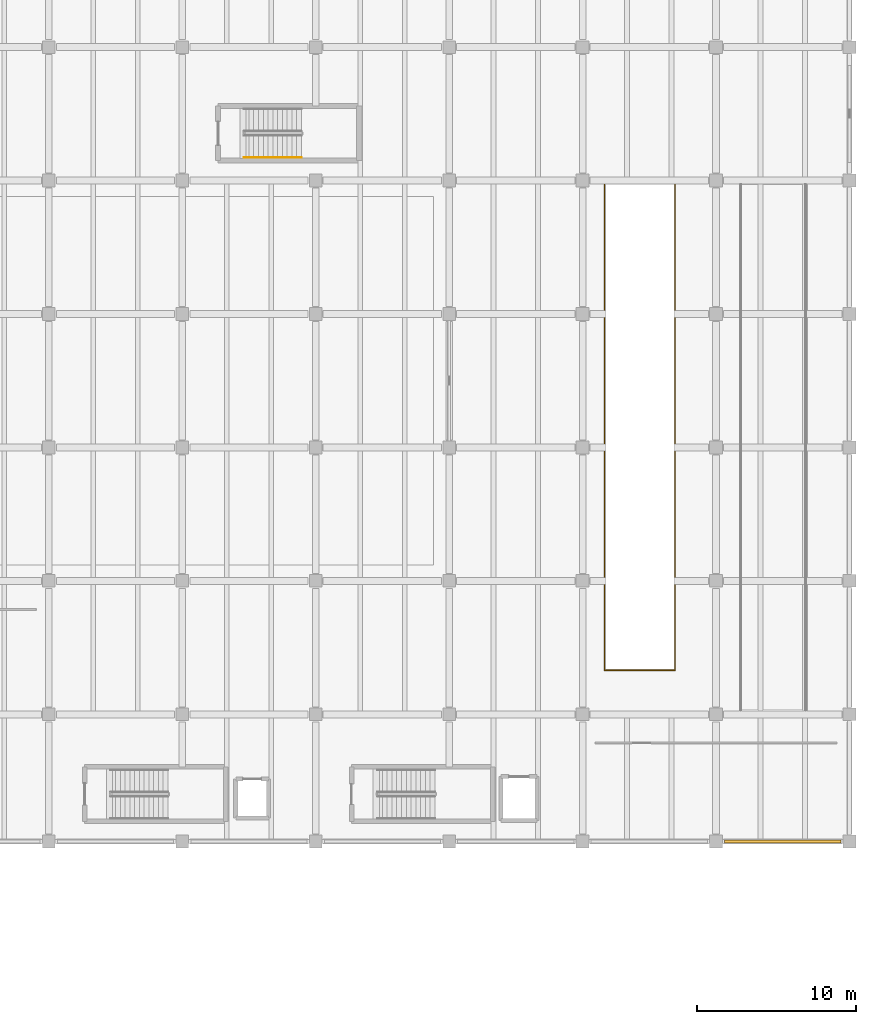
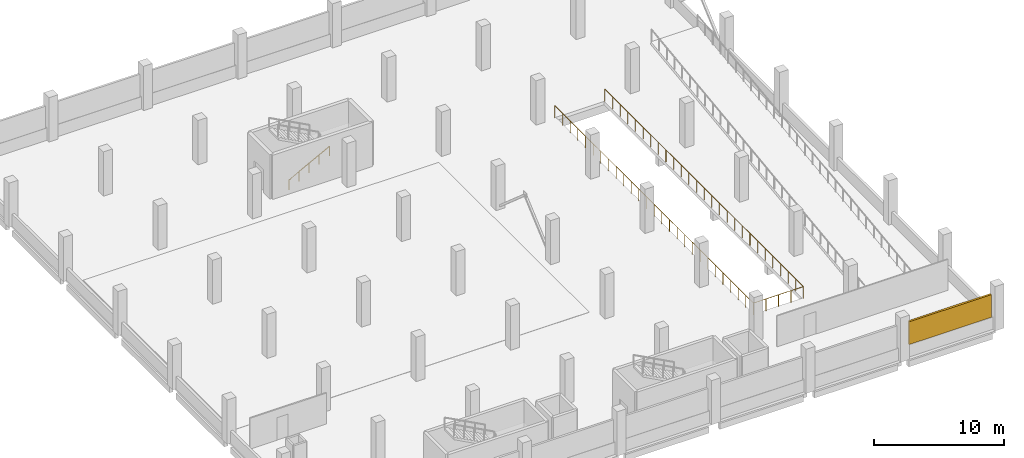
# One storey, part 175 of 177: 2 railings, 1 shading device.
"""IFC4 building model written with IfcOpenShell, lengths in metres."""

import ifcopenshell
import ifcopenshell.guid

model = None  # the IFC model being written
_history = None  # IfcOwnerHistory: only IFC2X3 demands one
_inside = {}  # id of a spatial element -> (the spatial element, [elements in it])
_under = {}  # id of a project, library or spatial element -> (it, [spatial elements below it])
_declared = {}  # id of a project -> (the project, [libraries it declares])
_typed = {}  # id of a type object -> (the type object, [elements of that type])
_made_of = {}  # id of a material, layer set ... -> (it, [elements and type objects made of it])


def new_model(schema):
    """Start an empty IFC model of exactly this schema.

    Asked for "IFC4X3", IfcOpenShell would pick the latest addendum, in which some entities
    have other attributes; the version numbers below select the first issue.
    IFC2X3 requires an IfcOwnerHistory on every rooted entity: one is made here for all.
    """
    global model, _history
    if schema == "IFC4X3":
        model = ifcopenshell.file(schema_version=(4, 3, 0, 0))
    else:
        model = ifcopenshell.file(schema=schema)
    _inside.clear()
    _under.clear()
    _declared.clear()
    _typed.clear()
    _made_of.clear()
    _history = None
    if model.schema == "IFC2X3":
        org = make("IfcOrganization", Name="unknown")
        user = make(
            "IfcPersonAndOrganization",
            ThePerson=make("IfcPerson", FamilyName="unknown"),
            TheOrganization=org,
        )
        app = make(
            "IfcApplication",
            ApplicationDeveloper=org,
            Version="unknown",
            ApplicationFullName="unknown",
            ApplicationIdentifier="unknown",
        )
        _history = make(
            "IfcOwnerHistory",
            OwningUser=user,
            OwningApplication=app,
            ChangeAction="ADDED",
            CreationDate=0,
        )
    return model


def make(cls, **values):
    """One entity of the class cls with the attributes given. An attribute that is None is left unset."""
    return model.create_entity(
        cls, **{name: value for name, value in values.items() if value is not None}
    )


def rooted(cls, **values):
    """An entity with a GlobalId (a new one), such as an element, a storey or a relation."""
    return make(cls, GlobalId=ifcopenshell.guid.new(), OwnerHistory=_history, **values)


def si_unit(unit_type, name, prefix=None):
    """IfcSIUnit, for example si_unit("LENGTHUNIT", "METRE", prefix="MILLI")."""
    return make("IfcSIUnit", UnitType=unit_type, Prefix=prefix, Name=name)


def assignment(units):
    """IfcUnitAssignment: the units of a project."""
    return None if units is None else make("IfcUnitAssignment", Units=units)


def point(xyz):
    """IfcCartesianPoint."""
    return None if xyz is None else make("IfcCartesianPoint", Coordinates=xyz)


def direction(xyz):
    """IfcDirection."""
    return None if xyz is None else make("IfcDirection", DirectionRatios=xyz)


def frame(location, z_axis=None, x_axis=None):
    """IfcAxis2Placement3D, a coordinate frame: its origin and axes. An axis left out is left unset."""
    return make(
        "IfcAxis2Placement3D",
        Location=point(location),
        Axis=direction(z_axis),
        RefDirection=direction(x_axis),
    )


def frame_2d(location, x_axis=None):
    """IfcAxis2Placement2D, a coordinate frame in the plane: its origin and x axis."""
    return make(
        "IfcAxis2Placement2D", Location=point(location), RefDirection=direction(x_axis)
    )


def origin():
    """The frame at (0, 0, 0) with its axes left unset."""
    return frame((0.0, 0.0, 0.0))


def origin_2d():
    """The frame at (0, 0) in the plane with its x axis left unset."""
    return frame_2d((0.0, 0.0))


def place(relative_to, where):
    """IfcLocalPlacement: puts the frame where relative to a parent placement (None: the world)."""
    return make(
        "IfcLocalPlacement", PlacementRelTo=relative_to, RelativePlacement=where
    )


def context(
    kind, dimensions, precision=None, world=None, true_north=None, identifier=None
):
    """IfcGeometricRepresentationContext, for example the 3D "Model" context."""
    return make(
        "IfcGeometricRepresentationContext",
        ContextIdentifier=identifier,
        ContextType=kind,
        CoordinateSpaceDimension=dimensions,
        Precision=precision,
        WorldCoordinateSystem=world,
        TrueNorth=true_north,
    )


def subcontext(parent, identifier, kind, view, scale=None):
    """IfcGeometricRepresentationSubContext, for example "Body" below "Model"."""
    return make(
        "IfcGeometricRepresentationSubContext",
        ContextIdentifier=identifier,
        ContextType=kind,
        ParentContext=parent,
        TargetScale=scale,
        TargetView=view,
    )


def project(units=None, contexts=None):
    """IfcProject with its units and contexts."""
    return rooted(
        "IfcProject",
        Name="project",
        RepresentationContexts=contexts,
        UnitsInContext=assignment(units),
    )


def spatial(cls, under=None, at=None, **own):
    """A site, building, storey or space (cls), placed at a placement, below another one or the project."""
    s = rooted(cls, ObjectPlacement=at, **own)
    if under is not None:
        _under.setdefault(under.id(), (under, []))[1].append(s)
    return s


def profile(cls, at=None, kind="AREA", **sizes):
    """A parametric profile (cls). Its sizes go by their IFC names, for example OverallWidth=200.0."""
    return make(cls, ProfileType=kind, Position=at, **sizes)


def rectangle(**sizes):
    """IfcRectangleProfileDef."""
    return profile("IfcRectangleProfileDef", **sizes)


def circle(**sizes):
    """IfcCircleProfileDef."""
    return profile("IfcCircleProfileDef", **sizes)


def extrude(swept, where, along, depth):
    """IfcExtrudedAreaSolid: the profile swept, set in the frame where, extruded along a direction by depth."""
    return make(
        "IfcExtrudedAreaSolid",
        SweptArea=swept,
        Position=where,
        ExtrudedDirection=direction(along),
        Depth=depth,
    )


def shape(context_of_items, identifier, shape_type, items):
    """IfcShapeRepresentation: the items that make up one representation, for example the "Body"."""
    return make(
        "IfcShapeRepresentation",
        ContextOfItems=context_of_items,
        RepresentationIdentifier=identifier,
        RepresentationType=shape_type,
        Items=items,
    )


def material(Name=None, Category=None):
    """IfcMaterial."""
    return make("IfcMaterial", Name=Name, Category=Category)


def made_of(thing, what):
    """Note that an element or type object is made of a material, layer set ...; save() writes the relation."""
    if what is not None:
        _made_of.setdefault(what.id(), (what, []))[1].append(thing)
    return thing


def type_object(cls, material=None, **own):
    """A type object (cls), such as IfcWallType, which elements share."""
    return made_of(rooted(cls, **own), material)


def element(
    cls,
    number,
    at=None,
    inside=None,
    cuts=None,
    type_object=None,
    material=None,
    context=None,
    identifier="Body",
    shape_type=None,
    held_by="IfcProductDefinitionShape",
    body=None,
    shapes=None,
    **own,
):
    """One element of the class cls, such as IfcWall. Its Tag is "e" and its number.

    at: its placement. inside: the storey or other place that contains it. cuts: it is an
    opening in that element (IfcRelVoidsElement). A single representation is given by context,
    identifier, shape_type and body (its items); several are given by shapes. held_by: the class
    of the entity that holds the representations. save() writes the other relations.
    """
    e = rooted(cls, Tag="e%d" % number, ObjectPlacement=at, **own)
    if body is not None:
        shapes = [shape(context, identifier, shape_type, body)]
    if shapes is not None:
        e.Representation = make(held_by, Representations=shapes)
    if inside is not None:
        _inside.setdefault(inside.id(), (inside, []))[1].append(e)
    if cuts is not None:
        rooted(
            "IfcRelVoidsElement", RelatingBuildingElement=cuts, RelatedOpeningElement=e
        )
    if type_object is not None:
        _typed.setdefault(type_object.id(), (type_object, []))[1].append(e)
    return made_of(e, material)


def aggregate(whole, parts):
    """IfcRelAggregates: a whole, such as a stair, and the parts it consists of."""
    return rooted("IfcRelAggregates", RelatingObject=whole, RelatedObjects=parts)


def save(model, path):
    """Write the relations noted so far, then the file.

    IfcRelAggregates (storeys below a building ...), IfcRelContainedInSpatialStructure (elements
    in a storey), IfcRelDefinesByType, IfcRelAssociatesMaterial and IfcRelDeclares: one each for
    every whole, place, type object, material and project.
    """
    for whole, parts in _under.values():
        aggregate(whole, parts)
    for where, things in _inside.values():
        rooted(
            "IfcRelContainedInSpatialStructure",
            RelatedElements=things,
            RelatingStructure=where,
        )
    for kind, things in _typed.values():
        rooted("IfcRelDefinesByType", RelatedObjects=things, RelatingType=kind)
    for what, things in _made_of.values():
        rooted("IfcRelAssociatesMaterial", RelatedObjects=things, RelatingMaterial=what)
    for by, libraries in _declared.values():
        rooted("IfcRelDeclares", RelatingContext=by, RelatedDefinitions=libraries)
    model.write(path)


model = new_model("IFC4")

# Units and contexts
model_context = context("Model", 3, precision=1e-05, world=origin(), true_north=direction((0.0, 1.0)))
body_context = subcontext(model_context, "Body", "Model", "MODEL_VIEW")
ifc_project = project(units=[si_unit("LENGTHUNIT", "METRE"), si_unit("AREAUNIT", "SQUARE_METRE"), si_unit("VOLUMEUNIT", "CUBIC_METRE"), si_unit("PLANEANGLEUNIT", "RADIAN"), si_unit("MASSUNIT", "GRAM", prefix="KILO"), si_unit("THERMODYNAMICTEMPERATUREUNIT", "KELVIN"), si_unit("POWERUNIT", "WATT")], contexts=[model_context])

# Site, building, storey
site_placement = place(None, origin())
site = spatial("IfcSite", under=ifc_project, at=site_placement, CompositionType="ELEMENT")
building_placement = place(site_placement, origin())
building = spatial("IfcBuilding", under=site, at=building_placement, Name="Mavoryth Pier Ferry Terminal", CompositionType="ELEMENT")
storey_placement = place(building_placement, frame((0.0, 0.0, 5.43994140625)))
storey = spatial("IfcBuildingStorey", under=building, at=storey_placement, Name="L01", CompositionType="ELEMENT", Elevation=5.43994140625)

# Railings
ifc_material_1 = material(Name="Galvanised Steel Vehicle-Deck Edge Guardrail", Category="steel")
railing_type_1 = type_object("IfcRailingType", Name="Guard-Deck-Heavy1140", PredefinedType="GUARDRAIL", material=ifc_material_1)
railing_1_placement = place(storey_placement, frame((152.580078125, 55.35009765625, 0.0)))
element("IfcRailing", 1, at=railing_1_placement, inside=storey, type_object=railing_type_1, Name="Guardrail GRD-L01-008", PredefinedType="GUARDRAIL", context=body_context, shape_type="SweptSolid", body=[
    extrude(circle(Radius=0.02392578125, at=origin_2d()), frame((0.0, 0.0, 1.11572265625), z_axis=(0.0, -1.0, 0.0), x_axis=(1.0, 0.0, 0.0)), (0.0, 0.0, 1.0), 30.580078125),
    extrude(circle(Radius=0.02392578125, at=origin_2d()), frame((0.0, -30.580078125, 1.11572265625), z_axis=(1.0, 0.0, 0.0), x_axis=(0.0, 1.0, 0.0)), (0.0, 0.0, 1.0), 4.43994140625),
    extrude(circle(Radius=0.02392578125, at=origin_2d()), frame((4.43994140625, -30.580078125, 1.11572265625), z_axis=(0.0, 1.0, 0.0), x_axis=(-1.0, 0.0, 0.0)), (0.0, 0.0, 1.0), 30.580078125),
    extrude(circle(Radius=0.02099609375, at=origin_2d()), origin(), (0.0, 0.0, 1.0), 1.091796875),
    extrude(circle(Radius=0.02099609375, at=origin_2d()), frame((0.0, -1.17626953125, 0.0)), (0.0, 0.0, 1.0), 1.091796875),
    extrude(circle(Radius=0.02099609375, at=origin_2d()), frame((0.0, -2.352294921875, 0.0)), (0.0, 0.0, 1.0), 1.091796875),
    extrude(circle(Radius=0.02099609375, at=origin_2d()), frame((0.0, -3.528564453125, 0.0)), (0.0, 0.0, 1.0), 1.091796875),
    extrude(circle(Radius=0.02099609375, at=origin_2d()), frame((0.0, -4.70458984375, 0.0)), (0.0, 0.0, 1.0), 1.091796875),
    extrude(circle(Radius=0.02099609375, at=origin_2d()), frame((0.0, -5.880859375, 0.0)), (0.0, 0.0, 1.0), 1.091796875),
    extrude(circle(Radius=0.02099609375, at=origin_2d()), frame((0.0, -7.056884765625, 0.0)), (0.0, 0.0, 1.0), 1.091796875),
    extrude(circle(Radius=0.02099609375, at=origin_2d()), frame((0.0, -8.233154296875, 0.0)), (0.0, 0.0, 1.0), 1.091796875),
    extrude(circle(Radius=0.02099609375, at=origin_2d()), frame((0.0, -9.4091796875, 0.0)), (0.0, 0.0, 1.0), 1.091796875),
    extrude(circle(Radius=0.02099609375, at=origin_2d()), frame((0.0, -10.58544921875, 0.0)), (0.0, 0.0, 1.0), 1.091796875),
    extrude(circle(Radius=0.02099609375, at=origin_2d()), frame((0.0, -11.761474609375, 0.0)), (0.0, 0.0, 1.0), 1.091796875),
    extrude(circle(Radius=0.02099609375, at=origin_2d()), frame((0.0, -12.937744140625, 0.0)), (0.0, 0.0, 1.0), 1.091796875),
    extrude(circle(Radius=0.02099609375, at=origin_2d()), frame((0.0, -14.11376953125, 0.0)), (0.0, 0.0, 1.0), 1.091796875),
    extrude(circle(Radius=0.02099609375, at=origin_2d()), frame((0.0, -15.2900390625, 0.0)), (0.0, 0.0, 1.0), 1.091796875),
    extrude(circle(Radius=0.02099609375, at=origin_2d()), frame((0.0, -16.46630859375, 0.0)), (0.0, 0.0, 1.0), 1.091796875),
    extrude(circle(Radius=0.02099609375, at=origin_2d()), frame((0.0, -17.642333984375, 0.0)), (0.0, 0.0, 1.0), 1.091796875),
    extrude(circle(Radius=0.02099609375, at=origin_2d()), frame((0.0, -18.818603515625, 0.0)), (0.0, 0.0, 1.0), 1.091796875),
    extrude(circle(Radius=0.02099609375, at=origin_2d()), frame((0.0, -19.99462890625, 0.0)), (0.0, 0.0, 1.0), 1.091796875),
    extrude(circle(Radius=0.02099609375, at=origin_2d()), frame((0.0, -21.1708984375, 0.0)), (0.0, 0.0, 1.0), 1.091796875),
    extrude(circle(Radius=0.02099609375, at=origin_2d()), frame((0.0, -22.346923828125, 0.0)), (0.0, 0.0, 1.0), 1.091796875),
    extrude(circle(Radius=0.02099609375, at=origin_2d()), frame((0.0, -23.523193359375, 0.0)), (0.0, 0.0, 1.0), 1.091796875),
    extrude(circle(Radius=0.02099609375, at=origin_2d()), frame((0.0, -24.69921875, 0.0)), (0.0, 0.0, 1.0), 1.091796875),
    extrude(circle(Radius=0.02099609375, at=origin_2d()), frame((0.0, -25.87548828125, 0.0)), (0.0, 0.0, 1.0), 1.091796875),
    extrude(circle(Radius=0.02099609375, at=origin_2d()), frame((0.0, -27.051513671875, 0.0)), (0.0, 0.0, 1.0), 1.091796875),
    extrude(circle(Radius=0.02099609375, at=origin_2d()), frame((0.0, -28.227783203125, 0.0)), (0.0, 0.0, 1.0), 1.091796875),
    extrude(circle(Radius=0.02099609375, at=origin_2d()), frame((0.0, -29.40380859375, 0.0)), (0.0, 0.0, 1.0), 1.091796875),
    extrude(circle(Radius=0.02099609375, at=origin_2d()), frame((0.0, -30.580078125, 0.0)), (0.0, 0.0, 1.0), 1.091796875),
    extrude(circle(Radius=0.02099609375, at=origin_2d()), frame((1.10986328125, -30.580078125, 0.0)), (0.0, 0.0, 1.0), 1.091796875),
    extrude(circle(Radius=0.02099609375, at=origin_2d()), frame((2.219970703125, -30.580078125, 0.0)), (0.0, 0.0, 1.0), 1.091796875),
    extrude(circle(Radius=0.02099609375, at=origin_2d()), frame((3.330078125, -30.580078125, 0.0)), (0.0, 0.0, 1.0), 1.091796875),
    extrude(circle(Radius=0.02099609375, at=origin_2d()), frame((4.43994140625, -30.580078125, 0.0)), (0.0, 0.0, 1.0), 1.091796875),
    extrude(circle(Radius=0.02099609375, at=origin_2d()), frame((4.43994140625, -29.40380859375, 0.0)), (0.0, 0.0, 1.0), 1.091796875),
    extrude(circle(Radius=0.02099609375, at=origin_2d()), frame((4.43994140625, -28.227783203125, 0.0)), (0.0, 0.0, 1.0), 1.091796875),
    extrude(circle(Radius=0.02099609375, at=origin_2d()), frame((4.43994140625, -27.051513671875, 0.0)), (0.0, 0.0, 1.0), 1.091796875),
    extrude(circle(Radius=0.02099609375, at=origin_2d()), frame((4.43994140625, -25.87548828125, 0.0)), (0.0, 0.0, 1.0), 1.091796875),
    extrude(circle(Radius=0.02099609375, at=origin_2d()), frame((4.43994140625, -24.69921875, 0.0)), (0.0, 0.0, 1.0), 1.091796875),
    extrude(circle(Radius=0.02099609375, at=origin_2d()), frame((4.43994140625, -23.523193359375, 0.0)), (0.0, 0.0, 1.0), 1.091796875),
    extrude(circle(Radius=0.02099609375, at=origin_2d()), frame((4.43994140625, -22.346923828125, 0.0)), (0.0, 0.0, 1.0), 1.091796875),
    extrude(circle(Radius=0.02099609375, at=origin_2d()), frame((4.43994140625, -21.1708984375, 0.0)), (0.0, 0.0, 1.0), 1.091796875),
    extrude(circle(Radius=0.02099609375, at=origin_2d()), frame((4.43994140625, -19.99462890625, 0.0)), (0.0, 0.0, 1.0), 1.091796875),
    extrude(circle(Radius=0.02099609375, at=origin_2d()), frame((4.43994140625, -18.818603515625, 0.0)), (0.0, 0.0, 1.0), 1.091796875),
    extrude(circle(Radius=0.02099609375, at=origin_2d()), frame((4.43994140625, -17.642333984375, 0.0)), (0.0, 0.0, 1.0), 1.091796875),
    extrude(circle(Radius=0.02099609375, at=origin_2d()), frame((4.43994140625, -16.46630859375, 0.0)), (0.0, 0.0, 1.0), 1.091796875),
    extrude(circle(Radius=0.02099609375, at=origin_2d()), frame((4.43994140625, -15.2900390625, 0.0)), (0.0, 0.0, 1.0), 1.091796875),
    extrude(circle(Radius=0.02099609375, at=origin_2d()), frame((4.43994140625, -14.11376953125, 0.0)), (0.0, 0.0, 1.0), 1.091796875),
    extrude(circle(Radius=0.02099609375, at=origin_2d()), frame((4.43994140625, -12.937744140625, 0.0)), (0.0, 0.0, 1.0), 1.091796875),
    extrude(circle(Radius=0.02099609375, at=origin_2d()), frame((4.43994140625, -11.761474609375, 0.0)), (0.0, 0.0, 1.0), 1.091796875),
    extrude(circle(Radius=0.02099609375, at=origin_2d()), frame((4.43994140625, -10.58544921875, 0.0)), (0.0, 0.0, 1.0), 1.091796875),
    extrude(circle(Radius=0.02099609375, at=origin_2d()), frame((4.43994140625, -9.4091796875, 0.0)), (0.0, 0.0, 1.0), 1.091796875),
    extrude(circle(Radius=0.02099609375, at=origin_2d()), frame((4.43994140625, -8.233154296875, 0.0)), (0.0, 0.0, 1.0), 1.091796875),
    extrude(circle(Radius=0.02099609375, at=origin_2d()), frame((4.43994140625, -7.056884765625, 0.0)), (0.0, 0.0, 1.0), 1.091796875),
    extrude(circle(Radius=0.02099609375, at=origin_2d()), frame((4.43994140625, -5.880859375, 0.0)), (0.0, 0.0, 1.0), 1.091796875),
    extrude(circle(Radius=0.02099609375, at=origin_2d()), frame((4.43994140625, -4.70458984375, 0.0)), (0.0, 0.0, 1.0), 1.091796875),
    extrude(circle(Radius=0.02099609375, at=origin_2d()), frame((4.43994140625, -3.528564453125, 0.0)), (0.0, 0.0, 1.0), 1.091796875),
    extrude(circle(Radius=0.02099609375, at=origin_2d()), frame((4.43994140625, -2.352294921875, 0.0)), (0.0, 0.0, 1.0), 1.091796875),
    extrude(circle(Radius=0.02099609375, at=origin_2d()), frame((4.43994140625, -1.17626953125, 0.0)), (0.0, 0.0, 1.0), 1.091796875),
    extrude(circle(Radius=0.02099609375, at=origin_2d()), frame((4.43994140625, 0.0, 0.0)), (0.0, 0.0, 1.0), 1.091796875),
])
ifc_material_2 = material(Name="Brushed Stainless Steel Tubular Handrail", Category="steel")
railing_type_2 = type_object("IfcRailingType", Name="Handrail-Stair-SS900", PredefinedType="HANDRAIL", material=ifc_material_2)
railing_2_placement = place(storey_placement, frame((129.89990234375, 57.050048828125, 0.16015625)))
element("IfcRailing", 2, at=railing_2_placement, inside=storey, type_object=railing_type_2, Name="L01 ST10 stair handrail 1", PredefinedType="HANDRAIL", context=body_context, shape_type="SweptSolid", body=[
    extrude(circle(Radius=0.02392578125, at=origin_2d()), frame((0.0, 0.0, 0.8759765625), z_axis=(0.882366192074, 0.0, 0.470563389019), x_axis=(0.0, 1.0, 0.0)), (0.0, 0.0, 1.0), 4.080078125),
    extrude(circle(Radius=0.02099609375, at=origin_2d()), origin(), (0.0, 0.0, 1.0), 0.851806640625),
    extrude(circle(Radius=0.02099609375, at=origin_2d()), frame((0.89990234375, 0.0, 0.47998046875)), (0.0, 0.0, 1.0), 0.851806640625),
    extrude(circle(Radius=0.02099609375, at=origin_2d()), frame((1.800048828125, 0.0, 0.9599609375)), (0.0, 0.0, 1.0), 0.851806640625),
    extrude(circle(Radius=0.02099609375, at=origin_2d()), frame((2.7001953125, 0.0, 1.43994140625)), (0.0, 0.0, 1.0), 0.851806640625),
    extrude(circle(Radius=0.02099609375, at=origin_2d()), frame((3.60009765625, 0.0, 1.919921875)), (0.0, 0.0, 1.0), 0.851806640625),
])

# Shading device
ifc_material_3 = material(Name="Perforated Glazed Ceramic Solar Screen")
shading_device_type = type_object("IfcShadingDeviceType", Name="Screen-Ceramic-Bay7400x1900", PredefinedType="JALOUSIE", material=ifc_material_3)
shading_device_placement = place(storey_placement, frame((163.800048828125, 14.0, 1.14990234375), z_axis=(0.0, 0.0, 1.0), x_axis=(1.0, 0.0, 0.0)))
element("IfcShadingDevice", 3, at=shading_device_placement, inside=storey, type_object=shading_device_type, Name="Perforated Glazed Ceramic Solar Screen 13", PredefinedType="JALOUSIE", context=body_context, shape_type="SweptSolid", body=[
    extrude(rectangle(XDim=7.320068359375, YDim=0.179931640625, at=origin_2d()), origin(), (0.0, 0.0, 1.0), 2.135009765625),
])

save(model, "model.ifc")
